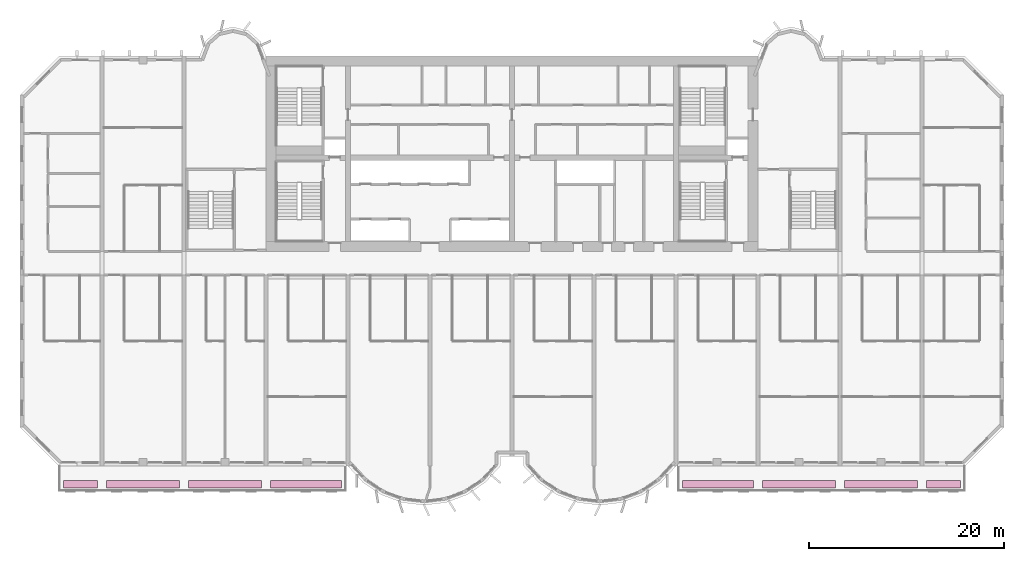
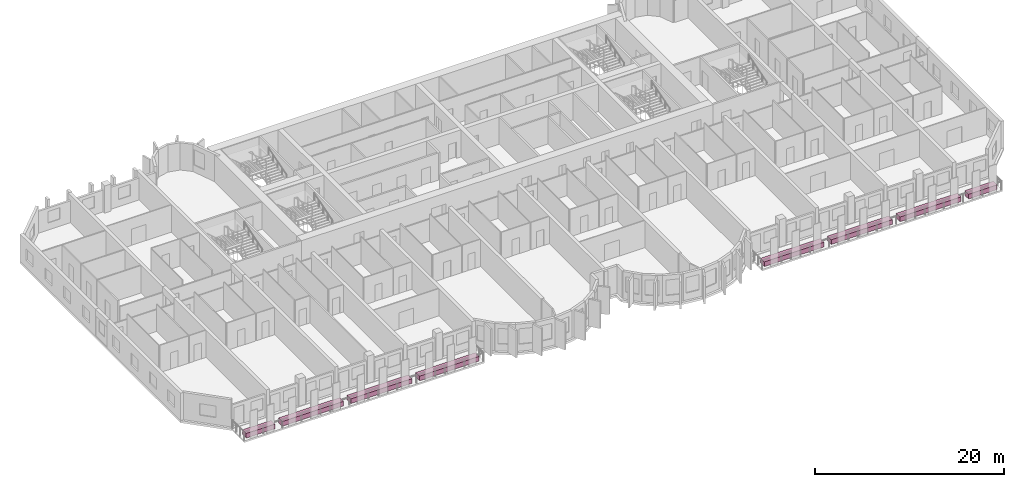
# One storey, part 15 of 15: 8 furniture elements.
"""IFC4 building model written with IfcOpenShell, lengths in metres."""

import ifcopenshell
import ifcopenshell.guid

model = None  # the IFC model being written
_history = None  # IfcOwnerHistory: only IFC2X3 demands one
_inside = {}  # id of a spatial element -> (the spatial element, [elements in it])
_under = {}  # id of a project, library or spatial element -> (it, [spatial elements below it])
_declared = {}  # id of a project -> (the project, [libraries it declares])
_typed = {}  # id of a type object -> (the type object, [elements of that type])
_made_of = {}  # id of a material, layer set ... -> (it, [elements and type objects made of it])


def new_model(schema):
    """Start an empty IFC model of exactly this schema.

    Asked for "IFC4X3", IfcOpenShell would pick the latest addendum, in which some entities
    have other attributes; the version numbers below select the first issue.
    IFC2X3 requires an IfcOwnerHistory on every rooted entity: one is made here for all.
    """
    global model, _history
    if schema == "IFC4X3":
        model = ifcopenshell.file(schema_version=(4, 3, 0, 0))
    else:
        model = ifcopenshell.file(schema=schema)
    _inside.clear()
    _under.clear()
    _declared.clear()
    _typed.clear()
    _made_of.clear()
    _history = None
    if model.schema == "IFC2X3":
        org = make("IfcOrganization", Name="unknown")
        user = make(
            "IfcPersonAndOrganization",
            ThePerson=make("IfcPerson", FamilyName="unknown"),
            TheOrganization=org,
        )
        app = make(
            "IfcApplication",
            ApplicationDeveloper=org,
            Version="unknown",
            ApplicationFullName="unknown",
            ApplicationIdentifier="unknown",
        )
        _history = make(
            "IfcOwnerHistory",
            OwningUser=user,
            OwningApplication=app,
            ChangeAction="ADDED",
            CreationDate=0,
        )
    return model


def make(cls, **values):
    """One entity of the class cls with the attributes given. An attribute that is None is left unset."""
    return model.create_entity(
        cls, **{name: value for name, value in values.items() if value is not None}
    )


def rooted(cls, **values):
    """An entity with a GlobalId (a new one), such as an element, a storey or a relation."""
    return make(cls, GlobalId=ifcopenshell.guid.new(), OwnerHistory=_history, **values)


def si_unit(unit_type, name, prefix=None):
    """IfcSIUnit, for example si_unit("LENGTHUNIT", "METRE", prefix="MILLI")."""
    return make("IfcSIUnit", UnitType=unit_type, Prefix=prefix, Name=name)


def assignment(units):
    """IfcUnitAssignment: the units of a project."""
    return None if units is None else make("IfcUnitAssignment", Units=units)


def point(xyz):
    """IfcCartesianPoint."""
    return None if xyz is None else make("IfcCartesianPoint", Coordinates=xyz)


def direction(xyz):
    """IfcDirection."""
    return None if xyz is None else make("IfcDirection", DirectionRatios=xyz)


def frame(location, z_axis=None, x_axis=None):
    """IfcAxis2Placement3D, a coordinate frame: its origin and axes. An axis left out is left unset."""
    return make(
        "IfcAxis2Placement3D",
        Location=point(location),
        Axis=direction(z_axis),
        RefDirection=direction(x_axis),
    )


def frame_2d(location, x_axis=None):
    """IfcAxis2Placement2D, a coordinate frame in the plane: its origin and x axis."""
    return make(
        "IfcAxis2Placement2D", Location=point(location), RefDirection=direction(x_axis)
    )


def origin():
    """The frame at (0, 0, 0) with its axes left unset."""
    return frame((0.0, 0.0, 0.0))


def origin_2d():
    """The frame at (0, 0) in the plane with its x axis left unset."""
    return frame_2d((0.0, 0.0))


def place(relative_to, where):
    """IfcLocalPlacement: puts the frame where relative to a parent placement (None: the world)."""
    return make(
        "IfcLocalPlacement", PlacementRelTo=relative_to, RelativePlacement=where
    )


def context(
    kind, dimensions, precision=None, world=None, true_north=None, identifier=None
):
    """IfcGeometricRepresentationContext, for example the 3D "Model" context."""
    return make(
        "IfcGeometricRepresentationContext",
        ContextIdentifier=identifier,
        ContextType=kind,
        CoordinateSpaceDimension=dimensions,
        Precision=precision,
        WorldCoordinateSystem=world,
        TrueNorth=true_north,
    )


def subcontext(parent, identifier, kind, view, scale=None):
    """IfcGeometricRepresentationSubContext, for example "Body" below "Model"."""
    return make(
        "IfcGeometricRepresentationSubContext",
        ContextIdentifier=identifier,
        ContextType=kind,
        ParentContext=parent,
        TargetScale=scale,
        TargetView=view,
    )


def project(units=None, contexts=None):
    """IfcProject with its units and contexts."""
    return rooted(
        "IfcProject",
        Name="project",
        RepresentationContexts=contexts,
        UnitsInContext=assignment(units),
    )


def spatial(cls, under=None, at=None, **own):
    """A site, building, storey or space (cls), placed at a placement, below another one or the project."""
    s = rooted(cls, ObjectPlacement=at, **own)
    if under is not None:
        _under.setdefault(under.id(), (under, []))[1].append(s)
    return s


def profile(cls, at=None, kind="AREA", **sizes):
    """A parametric profile (cls). Its sizes go by their IFC names, for example OverallWidth=200.0."""
    return make(cls, ProfileType=kind, Position=at, **sizes)


def rectangle(**sizes):
    """IfcRectangleProfileDef."""
    return profile("IfcRectangleProfileDef", **sizes)


def extrude(swept, where, along, depth):
    """IfcExtrudedAreaSolid: the profile swept, set in the frame where, extruded along a direction by depth."""
    return make(
        "IfcExtrudedAreaSolid",
        SweptArea=swept,
        Position=where,
        ExtrudedDirection=direction(along),
        Depth=depth,
    )


def shape(context_of_items, identifier, shape_type, items):
    """IfcShapeRepresentation: the items that make up one representation, for example the "Body"."""
    return make(
        "IfcShapeRepresentation",
        ContextOfItems=context_of_items,
        RepresentationIdentifier=identifier,
        RepresentationType=shape_type,
        Items=items,
    )


def source(mapping_origin, context_of_items, identifier, shape_type, items):
    """IfcRepresentationMap: a shape defined once, which mapped items show again and again."""
    return make(
        "IfcRepresentationMap",
        MappingOrigin=mapping_origin,
        MappedRepresentation=shape(context_of_items, identifier, shape_type, items),
    )


def transform(
    local_origin,
    x_axis=None,
    y_axis=None,
    z_axis=None,
    scale=None,
    scale2=None,
    scale3=None,
    uniform=True,
):
    """IfcCartesianTransformationOperator3D, or its non-uniform kind. x_axis, y_axis, z_axis: its Axis1, 2, 3."""
    if uniform:
        return make(
            "IfcCartesianTransformationOperator3D",
            Axis1=direction(x_axis),
            Axis2=direction(y_axis),
            LocalOrigin=point(local_origin),
            Scale=scale,
            Axis3=direction(z_axis),
        )
    return make(
        "IfcCartesianTransformationOperator3DnonUniform",
        Axis1=direction(x_axis),
        Axis2=direction(y_axis),
        LocalOrigin=point(local_origin),
        Scale=scale,
        Axis3=direction(z_axis),
        Scale2=scale2,
        Scale3=scale3,
    )


def mapped(mapping_source, mapping_target):
    """IfcMappedItem: shows the shape of a source again, moved by a transform."""
    return make(
        "IfcMappedItem", MappingSource=mapping_source, MappingTarget=mapping_target
    )


def material(Name=None, Category=None):
    """IfcMaterial."""
    return make("IfcMaterial", Name=Name, Category=Category)


def made_of(thing, what):
    """Note that an element or type object is made of a material, layer set ...; save() writes the relation."""
    if what is not None:
        _made_of.setdefault(what.id(), (what, []))[1].append(thing)
    return thing


def type_object(cls, material=None, **own):
    """A type object (cls), such as IfcWallType, which elements share."""
    return made_of(rooted(cls, **own), material)


def element(
    cls,
    number,
    at=None,
    inside=None,
    cuts=None,
    type_object=None,
    material=None,
    context=None,
    identifier="Body",
    shape_type=None,
    held_by="IfcProductDefinitionShape",
    body=None,
    shapes=None,
    **own,
):
    """One element of the class cls, such as IfcWall. Its Tag is "e" and its number.

    at: its placement. inside: the storey or other place that contains it. cuts: it is an
    opening in that element (IfcRelVoidsElement). A single representation is given by context,
    identifier, shape_type and body (its items); several are given by shapes. held_by: the class
    of the entity that holds the representations. save() writes the other relations.
    """
    e = rooted(cls, Tag="e%d" % number, ObjectPlacement=at, **own)
    if body is not None:
        shapes = [shape(context, identifier, shape_type, body)]
    if shapes is not None:
        e.Representation = make(held_by, Representations=shapes)
    if inside is not None:
        _inside.setdefault(inside.id(), (inside, []))[1].append(e)
    if cuts is not None:
        rooted(
            "IfcRelVoidsElement", RelatingBuildingElement=cuts, RelatedOpeningElement=e
        )
    if type_object is not None:
        _typed.setdefault(type_object.id(), (type_object, []))[1].append(e)
    return made_of(e, material)


def aggregate(whole, parts):
    """IfcRelAggregates: a whole, such as a stair, and the parts it consists of."""
    return rooted("IfcRelAggregates", RelatingObject=whole, RelatedObjects=parts)


def save(model, path):
    """Write the relations noted so far, then the file.

    IfcRelAggregates (storeys below a building ...), IfcRelContainedInSpatialStructure (elements
    in a storey), IfcRelDefinesByType, IfcRelAssociatesMaterial and IfcRelDeclares: one each for
    every whole, place, type object, material and project.
    """
    for whole, parts in _under.values():
        aggregate(whole, parts)
    for where, things in _inside.values():
        rooted(
            "IfcRelContainedInSpatialStructure",
            RelatedElements=things,
            RelatingStructure=where,
        )
    for kind, things in _typed.values():
        rooted("IfcRelDefinesByType", RelatedObjects=things, RelatingType=kind)
    for what, things in _made_of.values():
        rooted("IfcRelAssociatesMaterial", RelatedObjects=things, RelatingMaterial=what)
    for by, libraries in _declared.values():
        rooted("IfcRelDeclares", RelatingContext=by, RelatedDefinitions=libraries)
    model.write(path)


model = new_model("IFC4")

# Units and contexts
model_context = context("Model", 3, precision=1e-05, world=origin(), true_north=direction((0.0, 1.0)))
body_context = subcontext(model_context, "Body", "Model", "MODEL_VIEW")
ifc_project = project(units=[si_unit("LENGTHUNIT", "METRE"), si_unit("AREAUNIT", "SQUARE_METRE"), si_unit("VOLUMEUNIT", "CUBIC_METRE"), si_unit("PLANEANGLEUNIT", "RADIAN"), si_unit("MASSUNIT", "GRAM", prefix="KILO")], contexts=[model_context])

# Site, building, storey
site_placement = place(None, origin())
site = spatial("IfcSite", under=ifc_project, at=site_placement, CompositionType="ELEMENT")
building_placement = place(site_placement, origin())
building = spatial("IfcBuilding", under=site, at=building_placement, Name="Vanashikhar Sky Hotel", CompositionType="ELEMENT")
storey_placement = place(building_placement, frame((0.0, 0.0, 62.0)))
storey = spatial("IfcBuildingStorey", under=building, at=storey_placement, Name="L14", CompositionType="ELEMENT", Elevation=62.0)

# Furniture
ifc_material = material(Name="Planting soil and shrubs")
furniture_type = type_object("IfcFurnitureType", Name="Planter trough", AssemblyPlace="NOTDEFINED", PredefinedType="USERDEFINED", material=ifc_material)
shared_shape_1 = source(origin(), body_context, "Body", "SweptSolid", [
    extrude(rectangle(XDim=3.5, YDim=0.800048828125, at=origin_2d()), origin(), (0.0, 0.0, 1.0), 0.60009765625),
])
for number, where, z_axis, x_axis, name in (
    (1, (6.199951171875, -1.85009765625, -0.050048828125), (0.0, 0.0, 1.0), (1.0, 0.0, 0.0), "PLANTER with climbers"),
    (2, (94.60009765625, -1.85009765625, -0.050048828125), (0.0, 0.0, 1.0), (1.0, 0.0, 0.0), "PLANTER with climbers"),
):
    element("IfcFurniture", number, at=place(storey_placement, frame(where, z_axis=z_axis, x_axis=x_axis)), inside=storey, type_object=furniture_type, Name=name, ObjectType="PLANTER", PredefinedType="USERDEFINED", context=body_context, shape_type="MappedRepresentation", body=[
        mapped(shared_shape_1, transform((0.0, 0.0, 0.0), scale=1.0)),
    ])
shared_shape_2 = source(origin(), body_context, "Body", "SweptSolid", [
    extrude(rectangle(XDim=7.5, YDim=0.800048828125, at=origin_2d()), origin(), (0.0, 0.0, 1.0), 0.60009765625),
])
for number, where, z_axis, x_axis, name in (
    (3, (12.60009765625, -1.85009765625, -0.050048828125), (0.0, 0.0, 1.0), (1.0, 0.0, 0.0), "PLANTER with climbers"),
    (4, (21.0, -1.85009765625, -0.050048828125), (0.0, 0.0, 1.0), (1.0, 0.0, 0.0), "PLANTER with climbers"),
    (5, (79.800048828125, -1.85009765625, -0.050048828125), (0.0, 0.0, 1.0), (1.0, 0.0, 0.0), "PLANTER with climbers"),
    (6, (88.199951171875, -1.85009765625, -0.050048828125), (0.0, 0.0, 1.0), (1.0, 0.0, 0.0), "PLANTER with climbers"),
):
    element("IfcFurniture", number, at=place(storey_placement, frame(where, z_axis=z_axis, x_axis=x_axis)), inside=storey, type_object=furniture_type, Name=name, ObjectType="PLANTER", PredefinedType="USERDEFINED", context=body_context, shape_type="MappedRepresentation", body=[
        mapped(shared_shape_2, transform((0.0, 0.0, 0.0), scale=1.0)),
    ])
shared_shape_3 = source(origin(), body_context, "Body", "SweptSolid", [
    extrude(rectangle(XDim=7.300048828125, YDim=0.800048828125, at=origin_2d()), origin(), (0.0, 0.0, 1.0), 0.60009765625),
])
for number, where, z_axis, x_axis, name in (
    (7, (29.300048828125, -1.85009765625, -0.050048828125), (0.0, 0.0, 1.0), (1.0, 0.0, 0.0), "PLANTER with climbers"),
    (8, (71.5, -1.85009765625, -0.050048828125), (0.0, 0.0, 1.0), (1.0, 0.0, 0.0), "PLANTER with climbers"),
):
    element("IfcFurniture", number, at=place(storey_placement, frame(where, z_axis=z_axis, x_axis=x_axis)), inside=storey, type_object=furniture_type, Name=name, ObjectType="PLANTER", PredefinedType="USERDEFINED", context=body_context, shape_type="MappedRepresentation", body=[
        mapped(shared_shape_3, transform((0.0, 0.0, 0.0), scale=1.0)),
    ])

save(model, "model.ifc")
